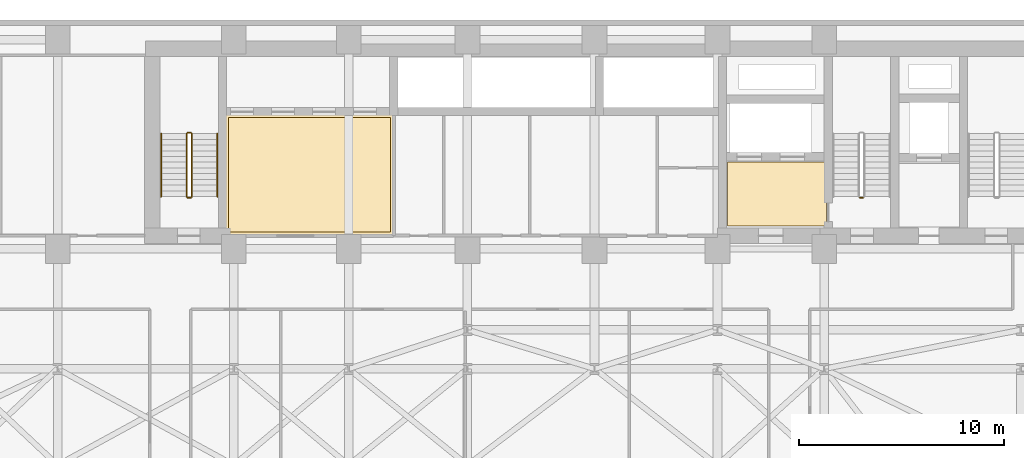
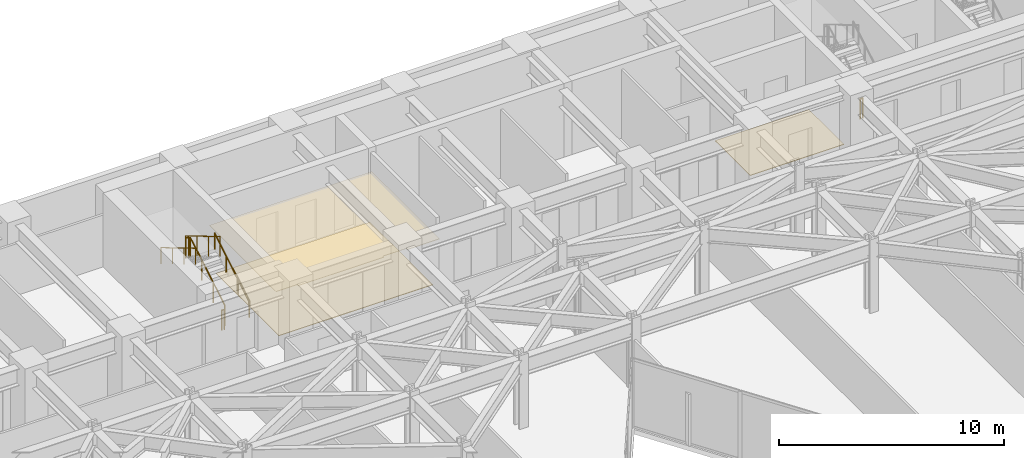
# One storey, part 23 of 24: 7 railings, 3 coverings.
"""IFC4 building model written with IfcOpenShell, lengths in metres."""

from ifc_helpers import new_model, si_unit, direction, frame, origin, origin_2d, place, context, subcontext, project, spatial, polyline, circle, outline, extrude, material, layer, layer_set, type_object, element, save


model = new_model("IFC4")

# Units and contexts
model_context = context("Model", 3, precision=1e-05, world=origin(), true_north=direction((0.0, 1.0)))
body_context = subcontext(model_context, "Body", "Model", "MODEL_VIEW")
ifc_project = project(units=[si_unit("LENGTHUNIT", "METRE"), si_unit("AREAUNIT", "SQUARE_METRE"), si_unit("VOLUMEUNIT", "CUBIC_METRE"), si_unit("PLANEANGLEUNIT", "RADIAN"), si_unit("MASSUNIT", "GRAM", prefix="KILO")], contexts=[model_context])

# Site, building, storey
site_placement = place(None, origin())
site = spatial("IfcSite", under=ifc_project, at=site_placement, CompositionType="ELEMENT")
building_placement = place(site_placement, origin())
building = spatial("IfcBuilding", under=site, at=building_placement, Name="Kravanh Interchange Tower", CompositionType="ELEMENT")
storey_placement = place(building_placement, frame((0.0, 0.0, 45.5)))
storey = spatial("IfcBuildingStorey", under=building, at=storey_placement, Name="L10", CompositionType="ELEMENT", Elevation=45.5)

# Coverings
ifc_material_1 = material(Name="Cementitious Terrazzo Tile")
ifc_layer_1 = layer(ifc_material_1, 0.030029296875)
ifc_layer_set_1 = layer_set([ifc_layer_1], Name="Honed Terrazzo Lobby Flooring 30mm")
covering_type_1 = type_object("IfcCoveringType", Name="Honed Terrazzo Lobby Flooring 30mm", PredefinedType="FLOORING", material=ifc_layer_set_1)
covering_1_placement = place(storey_placement, origin())
element("IfcCovering", 1, at=covering_1_placement, inside=storey, type_object=covering_type_1, Name="L10 Firefighting Lobby Floor Finish", PredefinedType="FLOORING", context=body_context, shape_type="SweptSolid", body=[
    extrude(outline(polyline([(56.1201171875, 38.4599609375), (51.300048828125, 38.4599609375), (51.300048828125, 41.580078125), (56.1201171875, 41.580078125), (56.1201171875, 38.4599609375)])), origin(), (0.0, 0.0, 1.0), 0.030029296875),
])
covering_2_placement = place(storey_placement, origin())
element("IfcCovering", 2, at=covering_2_placement, inside=storey, type_object=covering_type_1, Name="L10 Low-Rise Lift Lobby Floor Finish", PredefinedType="FLOORING", context=body_context, shape_type="SweptSolid", body=[
    extrude(outline(polyline([(26.929931640625, 43.77001953125), (34.840087890625, 43.77001953125), (34.840087890625, 38.179931640625), (26.929931640625, 38.179931640625), (26.929931640625, 43.77001953125)])), origin(), (0.0, 0.0, 1.0), 0.030029296875),
])
ifc_material_2 = material(Name="Acoustic Mineral Fibre Tile on Aluminium Grid", Category="aluminium")
ifc_layer_2 = layer(ifc_material_2, 0.02490234375)
ifc_layer_set_2 = layer_set([ifc_layer_2], Name="Perforated Acoustic Mineral Ceiling 25mm")
covering_type_2 = type_object("IfcCoveringType", Name="Perforated Acoustic Mineral Ceiling 25mm", PredefinedType="CEILING", material=ifc_layer_set_2)
covering_3_placement = place(storey_placement, frame((0.0, 0.0, 2.550048828125)))
element("IfcCovering", 3, at=covering_3_placement, inside=storey, type_object=covering_type_2, Name="L10 Low-Rise Lift Lobby Suspended Ceiling", PredefinedType="CEILING", context=body_context, shape_type="SweptSolid", body=[
    extrude(outline(polyline([(35.06005859375, 37.9599609375), (33.39990234375, 37.9599609375), (33.39990234375, 38.050048828125), (32.199951171875, 38.050048828125), (32.199951171875, 37.9599609375), (27.800048828125, 37.9599609375), (27.800048828125, 38.050048828125), (26.7099609375, 38.050048828125), (26.7099609375, 43.989990234375), (35.06005859375, 43.989990234375), (35.06005859375, 37.9599609375)])), origin(), (0.0, 0.0, 1.0), 0.02490234375),
])

# Railings
ifc_material_3 = material(Name="Structural Steel S355", Category="steel")
ifc_layer_3 = layer(ifc_material_3, 0.050048828125)
ifc_layer_set_3 = layer_set([ifc_layer_3], Name="Stair Well Guardrail Structural Steel S355 1100mm")
railing_type_1 = type_object("IfcRailingType", Name="Stair Well Guardrail Structural Steel S355 1100mm", PredefinedType="GUARDRAIL", material=ifc_layer_set_3)
railing_1_placement = place(storey_placement, frame((57.89990234375, 39.85009765625, 0.0)))
element("IfcRailing", 4, at=railing_1_placement, inside=storey, type_object=railing_type_1, Name="L10 ST2 stair guard 4", PredefinedType="GUARDRAIL", context=body_context, shape_type="SweptSolid", body=[
    extrude(circle(Radius=0.02392578125, at=origin_2d()), frame((0.0, 0.0, 1.076171875), z_axis=(-1.0, 0.0, 0.0), x_axis=(0.0, -1.0, 0.0)), (0.0, 0.0, 1.0), 0.14990234375),
    extrude(circle(Radius=0.02099609375, at=origin_2d()), origin(), (0.0, 0.0, 1.0), 1.052001953125),
    extrude(circle(Radius=0.02099609375, at=origin_2d()), frame((-0.14990234375, 0.0, 0.0)), (0.0, 0.0, 1.0), 1.052001953125),
])
railing_2_placement = place(storey_placement, frame((25.14990234375, 39.89990234375, 0.166748046875)))
element("IfcRailing", 5, at=railing_2_placement, inside=storey, type_object=railing_type_1, Name="L10 ST3 stair guard 1", PredefinedType="GUARDRAIL", context=body_context, shape_type="SweptSolid", body=[
    extrude(circle(Radius=0.02392578125, at=origin_2d()), frame((0.0, 0.0, 1.076171875), z_axis=(0.0, 0.859308565015, 0.511457515432), x_axis=(-1.0, 0.0, 0.0)), (0.0, 0.0, 1.0), 3.58447265625),
    extrude(circle(Radius=0.02099609375, at=origin_2d()), origin(), (0.0, 0.0, 1.0), 1.052001953125),
    extrude(circle(Radius=0.02099609375, at=origin_2d()), frame((0.0, 1.026611328125, 0.611083984375)), (0.0, 0.0, 1.0), 1.052001953125),
    extrude(circle(Radius=0.02099609375, at=origin_2d()), frame((0.0, 2.053466796875, 1.22216796875)), (0.0, 0.0, 1.0), 1.052001953125),
    extrude(circle(Radius=0.02099609375, at=origin_2d()), frame((0.0, 3.080078125, 1.833251953125)), (0.0, 0.0, 1.0), 1.052001953125),
])
railing_3_placement = place(storey_placement, frame((25.10009765625, 43.030029296875, 2.0)))
element("IfcRailing", 6, at=railing_3_placement, inside=storey, type_object=railing_type_1, Name="L10 ST3 stair guard 2", PredefinedType="GUARDRAIL", context=body_context, shape_type="SweptSolid", body=[
    extrude(circle(Radius=0.02392578125, at=origin_2d()), frame((0.0, 0.0, 1.076171875), z_axis=(-1.0, 0.0, 0.0), x_axis=(0.0, -1.0, 0.0)), (0.0, 0.0, 1.0), 0.150146484375),
    extrude(circle(Radius=0.02099609375, at=origin_2d()), origin(), (0.0, 0.0, 1.0), 1.052001953125),
    extrude(circle(Radius=0.02099609375, at=origin_2d()), frame((-0.150146484375, 0.0, 0.0)), (0.0, 0.0, 1.0), 1.052001953125),
])
railing_4_placement = place(storey_placement, frame((24.89990234375, 42.97998046875, 2.166748046875)))
element("IfcRailing", 7, at=railing_4_placement, inside=storey, type_object=railing_type_1, Name="L10 ST3 stair guard 3", PredefinedType="GUARDRAIL", context=body_context, shape_type="SweptSolid", body=[
    extrude(circle(Radius=0.02392578125, at=origin_2d()), frame((0.0, 0.0, 1.076171875), z_axis=(0.0, -0.859308565015, 0.511457515432), x_axis=(1.0, 0.0, 0.0)), (0.0, 0.0, 1.0), 3.58447265625),
    extrude(circle(Radius=0.02099609375, at=origin_2d()), origin(), (0.0, 0.0, 1.0), 1.052001953125),
    extrude(circle(Radius=0.02099609375, at=origin_2d()), frame((0.0, -1.026611328125, 0.611083984375)), (0.0, 0.0, 1.0), 1.052001953125),
    extrude(circle(Radius=0.02099609375, at=origin_2d()), frame((0.0, -2.053466796875, 1.22216796875)), (0.0, 0.0, 1.0), 1.052001953125),
    extrude(circle(Radius=0.02099609375, at=origin_2d()), frame((0.0, -3.080078125, 1.833251953125)), (0.0, 0.0, 1.0), 1.052001953125),
])
railing_5_placement = place(storey_placement, frame((25.10009765625, 39.85009765625, 0.0)))
element("IfcRailing", 8, at=railing_5_placement, inside=storey, type_object=railing_type_1, Name="L10 ST3 stair guard 4", PredefinedType="GUARDRAIL", context=body_context, shape_type="SweptSolid", body=[
    extrude(circle(Radius=0.02392578125, at=origin_2d()), frame((0.0, 0.0, 1.076171875), z_axis=(-1.0, 0.0, 0.0), x_axis=(0.0, -1.0, 0.0)), (0.0, 0.0, 1.0), 0.150146484375),
    extrude(circle(Radius=0.02099609375, at=origin_2d()), origin(), (0.0, 0.0, 1.0), 1.052001953125),
    extrude(circle(Radius=0.02099609375, at=origin_2d()), frame((-0.150146484375, 0.0, 0.0)), (0.0, 0.0, 1.0), 1.052001953125),
])
ifc_material_4 = material(Name="Stainless Steel 304", Category="steel")
ifc_layer_4 = layer(ifc_material_4, 0.044921875)
ifc_layer_set_4 = layer_set([ifc_layer_4], Name="Tubular Stair Handrail Stainless 304 900mm")
railing_type_2 = type_object("IfcRailingType", Name="Tubular Stair Handrail Stainless 304 900mm", PredefinedType="HANDRAIL", material=ifc_layer_set_4)
railing_6_placement = place(storey_placement, frame((26.39990234375, 39.89990234375, 0.166748046875)))
element("IfcRailing", 9, at=railing_6_placement, inside=storey, type_object=railing_type_2, Name="L10 ST3 stair handrail 1", PredefinedType="HANDRAIL", context=body_context, shape_type="SweptSolid", body=[
    extrude(circle(Radius=0.02392578125, at=origin_2d()), frame((0.0, 0.0, 0.8759765625), z_axis=(0.0, 0.859308565015, 0.511457515432), x_axis=(-1.0, 0.0, 0.0)), (0.0, 0.0, 1.0), 3.58447265625),
    extrude(circle(Radius=0.02099609375, at=origin_2d()), origin(), (0.0, 0.0, 1.0), 0.851806640625),
    extrude(circle(Radius=0.02099609375, at=origin_2d()), frame((0.0, 1.026611328125, 0.611083984375)), (0.0, 0.0, 1.0), 0.851806640625),
    extrude(circle(Radius=0.02099609375, at=origin_2d()), frame((0.0, 2.053466796875, 1.22216796875)), (0.0, 0.0, 1.0), 0.851806640625),
    extrude(circle(Radius=0.02099609375, at=origin_2d()), frame((0.0, 3.080078125, 1.833251953125)), (0.0, 0.0, 1.0), 0.851806640625),
])
railing_7_placement = place(storey_placement, frame((23.64990234375, 42.97998046875, 2.166748046875)))
element("IfcRailing", 10, at=railing_7_placement, inside=storey, type_object=railing_type_2, Name="L10 ST3 stair handrail 2", PredefinedType="HANDRAIL", context=body_context, shape_type="SweptSolid", body=[
    extrude(circle(Radius=0.02392578125, at=origin_2d()), frame((0.0, 0.0, 0.8759765625), z_axis=(0.0, -0.859308565015, 0.511457515432), x_axis=(1.0, 0.0, 0.0)), (0.0, 0.0, 1.0), 3.58447265625),
    extrude(circle(Radius=0.02099609375, at=origin_2d()), origin(), (0.0, 0.0, 1.0), 0.851806640625),
    extrude(circle(Radius=0.02099609375, at=origin_2d()), frame((0.0, -1.026611328125, 0.611083984375)), (0.0, 0.0, 1.0), 0.851806640625),
    extrude(circle(Radius=0.02099609375, at=origin_2d()), frame((0.0, -2.053466796875, 1.22216796875)), (0.0, 0.0, 1.0), 0.851806640625),
    extrude(circle(Radius=0.02099609375, at=origin_2d()), frame((0.0, -3.080078125, 1.833251953125)), (0.0, 0.0, 1.0), 0.851806640625),
])

save(model, "model.ifc")
